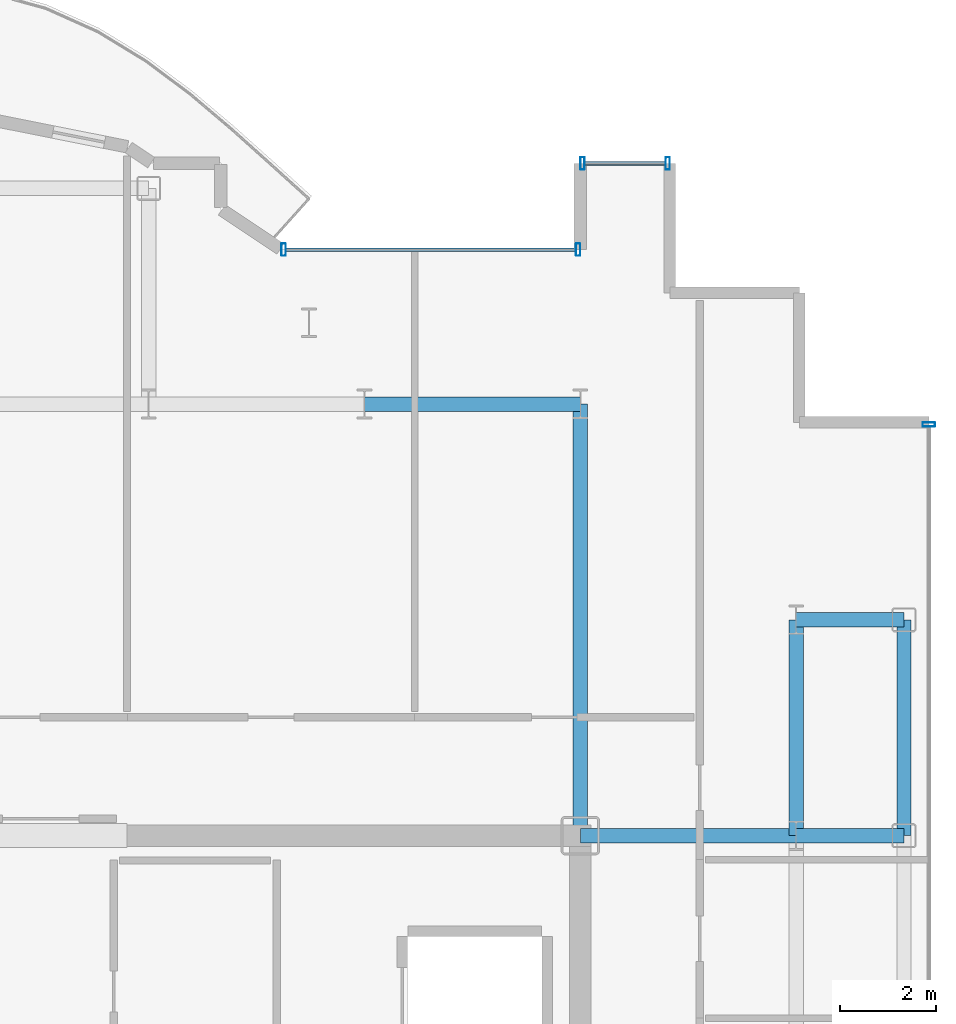
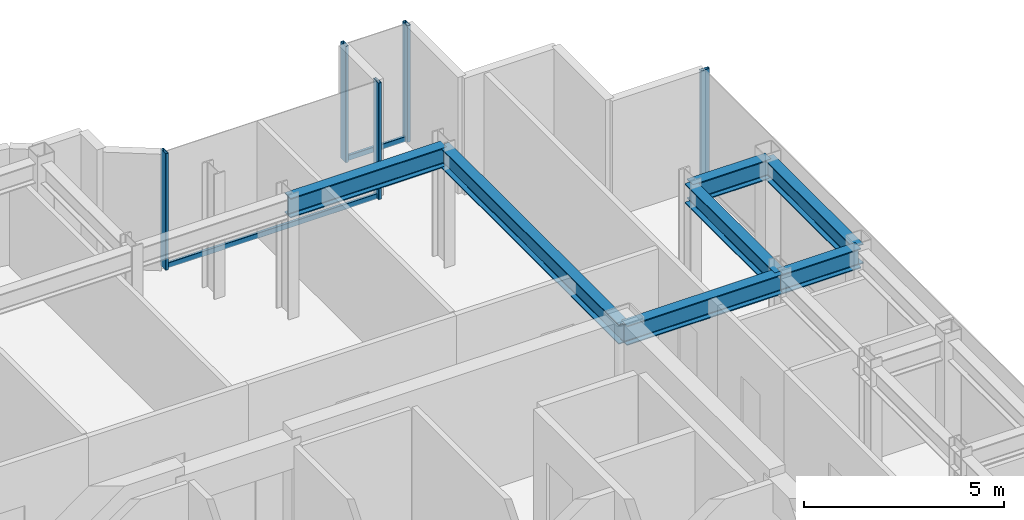
# One storey, part 11 of 18: 7 beams, 7 members, 3 elements without a shape of their own.
"""IFC4 building model written with IfcOpenShell, lengths in metres."""

from ifc_helpers import new_model, si_unit, direction, frame, origin, origin_2d, place, context, subcontext, project, spatial, hollow_rectangle, i_section, extrude, source, transform, mapped, material, layer, layer_set, material_profile, profile_set, type_object, element, aggregate, save


model = new_model("IFC4")

# Units and contexts
model_context = context("Model", 3, precision=1e-05, world=origin(), true_north=direction((0.0, 1.0)))
body_context = subcontext(model_context, "Body", "Model", "MODEL_VIEW")
ifc_project = project(units=[si_unit("LENGTHUNIT", "METRE"), si_unit("AREAUNIT", "SQUARE_METRE"), si_unit("VOLUMEUNIT", "CUBIC_METRE"), si_unit("PLANEANGLEUNIT", "RADIAN"), si_unit("MASSUNIT", "GRAM", prefix="KILO")], contexts=[model_context])

# Site, building, storey
site_placement = place(None, origin())
site = spatial("IfcSite", under=ifc_project, at=site_placement, CompositionType="ELEMENT")
building_placement = place(site_placement, origin())
building = spatial("IfcBuilding", under=site, at=building_placement, Name="Nefas-Gora Pilgrimage Tower", CompositionType="ELEMENT")
storey_placement = place(building_placement, frame((0.0, 0.0, 291.199951171875)))
storey = spatial("IfcBuildingStorey", under=building, at=storey_placement, Name="L73", CompositionType="ELEMENT", Elevation=291.199951171875)

# Beams
ifc_material_1 = material(Name="Steel S355", Category="steel")
ifc_material_profile_1 = material_profile(ifc_material_1, i_section(OverallWidth=0.300048828125, OverallDepth=0.60009765625, WebThickness=0.015380859375, FlangeThickness=0.030029296875, FilletRadius=0.027099609375, at=origin_2d()), Name="HEB 600")
ifc_profile_set_1 = profile_set([ifc_material_profile_1], Name="Steel S355")
beam_type_1 = type_object("IfcBeamType", Name="BM-SPN-HEB450", PredefinedType="SPANDREL", material=ifc_profile_set_1)
shared_shape_1 = source(origin(), body_context, "Body", "SweptSolid", [
    extrude(i_section(OverallWidth=0.300048828125, OverallDepth=0.60009765625, WebThickness=0.015380859375, FlangeThickness=0.030029296875, FilletRadius=0.027099609375, at=origin_2d()), origin(), (0.0, 0.0, 1.0), 4.5),
])
beam_1_placement = place(storey_placement, frame((18.0, 9.0, 3.25), z_axis=(0.0, 1.0, 0.0), x_axis=(-1.0, 0.0, 0.0)))
element("IfcBeam", 1, at=beam_1_placement, inside=storey, type_object=beam_type_1, Name="L73 SP-03 beam", PredefinedType="SPANDREL", context=body_context, shape_type="MappedRepresentation", body=[
    mapped(shared_shape_1, transform((0.0, 0.0, 0.0), x_axis=(1.0, 0.0, 0.0), y_axis=(0.0, 1.0, 0.0), z_axis=(0.0, 0.0, 1.0), scale=1.0)),
])
ifc_material_profile_2 = material_profile(ifc_material_1, i_section(OverallWidth=0.300048828125, OverallDepth=0.60009765625, WebThickness=0.015380859375, FlangeThickness=0.030029296875, FilletRadius=0.027099609375, at=origin_2d()), Name="HEB 600")
ifc_profile_set_2 = profile_set([ifc_material_profile_2], Name="Steel S355")
beam_type_2 = type_object("IfcBeamType", Name="BM-GIR-HEB600", PredefinedType="BEAM", material=ifc_profile_set_2)
shared_shape_2 = source(origin(), body_context, "Body", "SweptSolid", [
    extrude(i_section(OverallWidth=0.300048828125, OverallDepth=0.60009765625, WebThickness=0.015380859375, FlangeThickness=0.030029296875, FilletRadius=0.027099609375, at=origin_2d()), origin(), (0.0, 0.0, 1.0), 9.0),
])
beam_2_placement = place(storey_placement, frame((11.25, 9.0, 3.25), z_axis=(0.0, 1.0, 0.0), x_axis=(-1.0, 0.0, 0.0)))
element("IfcBeam", 2, at=beam_2_placement, inside=storey, type_object=beam_type_2, Name="L73 G-04 beam", PredefinedType="BEAM", context=body_context, shape_type="MappedRepresentation", body=[
    mapped(shared_shape_2, transform((0.0, 0.0, 0.0), x_axis=(1.0, 0.0, 0.0), y_axis=(0.0, 1.0, 0.0), z_axis=(0.0, 0.0, 1.0), scale=1.0)),
])
shared_shape_3 = source(origin(), body_context, "Body", "SweptSolid", [
    extrude(i_section(OverallWidth=0.300048828125, OverallDepth=0.60009765625, WebThickness=0.015380859375, FlangeThickness=0.030029296875, FilletRadius=0.027099609375, at=origin_2d()), origin(), (0.0, 0.0, 1.0), 4.5),
])
for number, where, z_axis, x_axis, name in (
    (3, (6.75, 18.0, 3.25), (1.0, 0.0, 0.0), (0.0, 1.0, 0.0), "L73 G-04 beam"),
    (4, (11.25, 9.0, 3.25), (1.0, 0.0, 0.0), (0.0, 1.0, 0.0), "L73 G-04 beam"),
    (5, (15.75, 9.0, 3.25), (0.0, 1.0, 0.0), (-1.0, 0.0, 0.0), "L73 G-04 beam"),
):
    element("IfcBeam", number, at=place(storey_placement, frame(where, z_axis=z_axis, x_axis=x_axis)), inside=storey, type_object=beam_type_2, Name=name, PredefinedType="BEAM", context=body_context, shape_type="MappedRepresentation", body=[
        mapped(shared_shape_3, transform((0.0, 0.0, 0.0), x_axis=(1.0, 0.0, 0.0), y_axis=(0.0, 1.0, 0.0), z_axis=(0.0, 0.0, 1.0), scale=1.0)),
    ])
shared_shape_4 = source(origin(), body_context, "Body", "SweptSolid", [
    extrude(i_section(OverallWidth=0.300048828125, OverallDepth=0.60009765625, WebThickness=0.015380859375, FlangeThickness=0.030029296875, FilletRadius=0.027099609375, at=origin_2d()), origin(), (0.0, 0.0, 1.0), 2.25),
])
for number, where, z_axis, x_axis, name in (
    (6, (15.75, 9.0, 3.25), (1.0, 0.0, 0.0), (0.0, 1.0, 0.0), "L73 G-04 beam"),
    (7, (15.75, 13.5, 3.25), (1.0, 0.0, 0.0), (0.0, 1.0, 0.0), "L73 G-04 beam"),
):
    element("IfcBeam", number, at=place(storey_placement, frame(where, z_axis=z_axis, x_axis=x_axis)), inside=storey, type_object=beam_type_2, Name=name, PredefinedType="BEAM", context=body_context, shape_type="MappedRepresentation", body=[
        mapped(shared_shape_4, transform((0.0, 0.0, 0.0), x_axis=(1.0, 0.0, 0.0), y_axis=(0.0, 1.0, 0.0), z_axis=(0.0, 0.0, 1.0), scale=1.0)),
    ])

# Curtain wall, members
ifc_material_2 = material(Name="Dark ceramic-fritted solar-control aluminium-glass curtain wall", Category="aluminium")
ifc_layer_1 = layer(ifc_material_2, 0.219970703125)
ifc_layer_set_1 = layer_set([ifc_layer_1], Name="Dark ceramic-fritted solar-control aluminium-glass curtain wall")
curtain_wall_type_1 = type_object("IfcCurtainWallType", Name="CW-SYS-5", PredefinedType="NOTDEFINED", material=ifc_layer_set_1)
curtain_wall_1_placement = place(storey_placement, origin())
curtain_wall_1 = element("IfcCurtainWall", 8, at=curtain_wall_1_placement, inside=storey, type_object=curtain_wall_type_1, Name="L73 Unitised Curtain Wall CW5", PredefinedType="NOTDEFINED")
ifc_material_3 = material(Name="Anodised architectural aluminium", Category="aluminium")
ifc_material_profile_3 = material_profile(ifc_material_3, hollow_rectangle(XDim=0.090087890625, YDim=0.260009765625, WallThickness=0.006103515625, InnerFilletRadius=0.006103515625, OuterFilletRadius=0.011962890625, at=origin_2d()), Name="ALU MULLION 90x260")
ifc_profile_set_3 = profile_set([ifc_material_profile_3], Name="Anodised architectural aluminium")
member_type_1 = type_object("IfcMemberType", Name="CWM-MUL-5", PredefinedType="MULLION", material=ifc_profile_set_3)
shared_shape_5 = source(origin(), body_context, "Body", "SweptSolid", [
    extrude(hollow_rectangle(XDim=0.090087890625, YDim=0.260009765625, WallThickness=0.006103515625, InnerFilletRadius=0.006103515625, OuterFilletRadius=0.011962890625, at=origin_2d()), origin(), (0.0, 0.0, 1.0), 3.550048828125),
])
member_1_placement = place(storey_placement, frame((11.205078125, 21.219970703125, 0.0), z_axis=(0.0, 0.0, 1.0), x_axis=(-1.0, 0.0, 0.0)))
member_1 = element("IfcMember", 9, at=member_1_placement, type_object=member_type_1, Name="CW5 Mullion 1", PredefinedType="MULLION", context=body_context, shape_type="MappedRepresentation", body=[
    mapped(shared_shape_5, transform((0.0, 0.0, 0.0), x_axis=(1.0, 0.0, 0.0), y_axis=(0.0, 1.0, 0.0), z_axis=(0.0, 0.0, 1.0), scale=1.0)),
])
member_2_placement = place(storey_placement, frame((5.06298828125, 21.219970703125, 0.0), z_axis=(0.0, 0.0, 1.0), x_axis=(-1.0, 0.0, 0.0)))
member_2 = element("IfcMember", 10, at=member_2_placement, type_object=member_type_1, Name="CW5 Mullion 2", PredefinedType="MULLION", context=body_context, shape_type="MappedRepresentation", body=[
    mapped(shared_shape_5, transform((0.0, 0.0, 0.0), x_axis=(1.0, 0.0, 0.0), y_axis=(0.0, 1.0, 0.0), z_axis=(0.0, 0.0, 1.0), scale=1.0)),
])
ifc_material_profile_4 = material_profile(ifc_material_3, hollow_rectangle(XDim=0.080078125, YDim=0.159912109375, WallThickness=0.00439453125, InnerFilletRadius=0.00439453125, OuterFilletRadius=0.009033203125, at=origin_2d()), Name="ALU TRANSOM 80x160")
ifc_profile_set_4 = profile_set([ifc_material_profile_4], Name="Anodised architectural aluminium")
member_type_2 = type_object("IfcMemberType", Name="CWM-TRN-5", PredefinedType="USERDEFINED", material=ifc_profile_set_4)
shared_shape_6 = source(origin(), body_context, "Body", "SweptSolid", [
    extrude(hollow_rectangle(XDim=0.080078125, YDim=0.159912109375, WallThickness=0.00439453125, InnerFilletRadius=0.00439453125, OuterFilletRadius=0.009033203125, at=origin_2d()), origin(), (0.0, 0.0, 1.0), 6.052001953125),
])
member_3_placement = place(storey_placement, frame((11.159912109375, 21.219970703125, 0.050048828125), z_axis=(-1.0, 0.0, 0.0), x_axis=(0.0, -1.0, 0.0)))
member_3 = element("IfcMember", 11, at=member_3_placement, type_object=member_type_2, Name="CW5 Spandrel Transom", ObjectType="TRANSOM", PredefinedType="USERDEFINED", context=body_context, shape_type="MappedRepresentation", body=[
    mapped(shared_shape_6, transform((0.0, 0.0, 0.0), x_axis=(1.0, 0.0, 0.0), y_axis=(0.0, 1.0, 0.0), z_axis=(0.0, 0.0, 1.0), scale=1.0)),
])
aggregate(curtain_wall_1, [member_1, member_2, member_3])

# Curtain wall, member
ifc_layer_2 = layer(ifc_material_2, 0.219970703125)
ifc_layer_set_2 = layer_set([ifc_layer_2], Name="Dark ceramic-fritted solar-control aluminium-glass curtain wall")
curtain_wall_type_2 = type_object("IfcCurtainWallType", Name="CW-SYS-4", PredefinedType="NOTDEFINED", material=ifc_layer_set_2)
curtain_wall_2_placement = place(storey_placement, origin())
curtain_wall_2 = element("IfcCurtainWall", 12, at=curtain_wall_2_placement, inside=storey, type_object=curtain_wall_type_2, Name="L73 Unitised Curtain Wall CW4", PredefinedType="NOTDEFINED")
ifc_material_profile_5 = material_profile(ifc_material_3, hollow_rectangle(XDim=0.080078125, YDim=0.159912109375, WallThickness=0.00439453125, InnerFilletRadius=0.00439453125, OuterFilletRadius=0.009033203125, at=origin_2d()), Name="ALU TRANSOM 80x160")
ifc_profile_set_5 = profile_set([ifc_material_profile_5], Name="Anodised architectural aluminium")
member_type_3 = type_object("IfcMemberType", Name="CWM-TRN-4", PredefinedType="USERDEFINED", material=ifc_profile_set_5)
shared_shape_7 = source(origin(), body_context, "Body", "SweptSolid", [
    extrude(hollow_rectangle(XDim=0.080078125, YDim=0.159912109375, WallThickness=0.00439453125, InnerFilletRadius=0.00439453125, OuterFilletRadius=0.009033203125, at=origin_2d()), origin(), (0.0, 0.0, 1.0), 1.68994140625),
])
member_4_placement = place(storey_placement, frame((13.030029296875, 23.02001953125, 0.050048828125), z_axis=(-1.0, 0.0, 0.0), x_axis=(0.0, -1.0, 0.0)))
member_4 = element("IfcMember", 13, at=member_4_placement, type_object=member_type_3, Name="CW4 Spandrel Transom", ObjectType="TRANSOM", PredefinedType="USERDEFINED", context=body_context, shape_type="MappedRepresentation", body=[
    mapped(shared_shape_7, transform((0.0, 0.0, 0.0), x_axis=(1.0, 0.0, 0.0), y_axis=(0.0, 1.0, 0.0), z_axis=(0.0, 0.0, 1.0), scale=1.0)),
])

curtain_wall_3_placement = place(storey_placement, origin())
curtain_wall_3 = element("IfcCurtainWall", 14, at=curtain_wall_3_placement, inside=storey, type_object=curtain_wall_type_2, Name="L73 Unitised Curtain Wall CW4", PredefinedType="NOTDEFINED")
ifc_material_profile_6 = material_profile(ifc_material_3, hollow_rectangle(XDim=0.090087890625, YDim=0.260009765625, WallThickness=0.006103515625, InnerFilletRadius=0.006103515625, OuterFilletRadius=0.011962890625, at=origin_2d()), Name="ALU MULLION 90x260")
ifc_profile_set_6 = profile_set([ifc_material_profile_6], Name="Anodised architectural aluminium")
member_type_4 = type_object("IfcMemberType", Name="CWM-MUL-4", PredefinedType="MULLION", material=ifc_profile_set_6)
shared_shape_8 = source(origin(), body_context, "Body", "SweptSolid", [
    extrude(hollow_rectangle(XDim=0.090087890625, YDim=0.260009765625, WallThickness=0.006103515625, InnerFilletRadius=0.006103515625, OuterFilletRadius=0.011962890625, at=origin_2d()), origin(), (0.0, 0.0, 1.0), 3.550048828125),
])
member_5_placement = place(storey_placement, frame((18.52001953125, 17.574951171875, 0.0), z_axis=(0.0, 0.0, 1.0), x_axis=(0.0, 1.0, 0.0)))
member_5 = element("IfcMember", 15, at=member_5_placement, type_object=member_type_4, Name="CW4 Mullion 3", PredefinedType="MULLION", context=body_context, shape_type="MappedRepresentation", body=[
    mapped(shared_shape_8, transform((0.0, 0.0, 0.0), x_axis=(1.0, 0.0, 0.0), y_axis=(0.0, 1.0, 0.0), z_axis=(0.0, 0.0, 1.0), scale=1.0)),
])
aggregate(curtain_wall_3, [member_5])

# Member
member_6_placement = place(storey_placement, frame((13.074951171875, 23.02001953125, 0.0), z_axis=(0.0, 0.0, 1.0), x_axis=(-1.0, 0.0, 0.0)))
member_6 = element("IfcMember", 16, at=member_6_placement, type_object=member_type_4, Name="CW4 Mullion 1", PredefinedType="MULLION", context=body_context, shape_type="MappedRepresentation", body=[
    mapped(shared_shape_8, transform((0.0, 0.0, 0.0), x_axis=(1.0, 0.0, 0.0), y_axis=(0.0, 1.0, 0.0), z_axis=(0.0, 0.0, 1.0), scale=1.0)),
])

member_7_placement = place(storey_placement, frame((11.294921875, 23.02001953125, 0.0), z_axis=(0.0, 0.0, 1.0), x_axis=(-1.0, 0.0, 0.0)))
member_7 = element("IfcMember", 17, at=member_7_placement, type_object=member_type_4, Name="CW4 Mullion 2", PredefinedType="MULLION", context=body_context, shape_type="MappedRepresentation", body=[
    mapped(shared_shape_8, transform((0.0, 0.0, 0.0), x_axis=(1.0, 0.0, 0.0), y_axis=(0.0, 1.0, 0.0), z_axis=(0.0, 0.0, 1.0), scale=1.0)),
])

aggregate(curtain_wall_2, [member_6, member_7, member_4])

save(model, "model.ifc")
